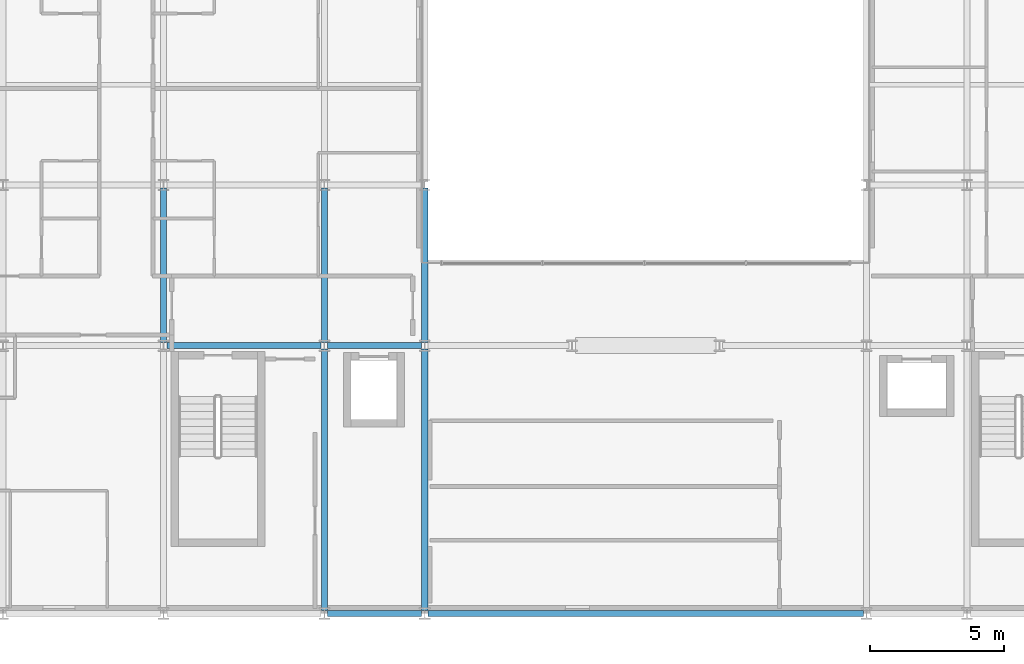
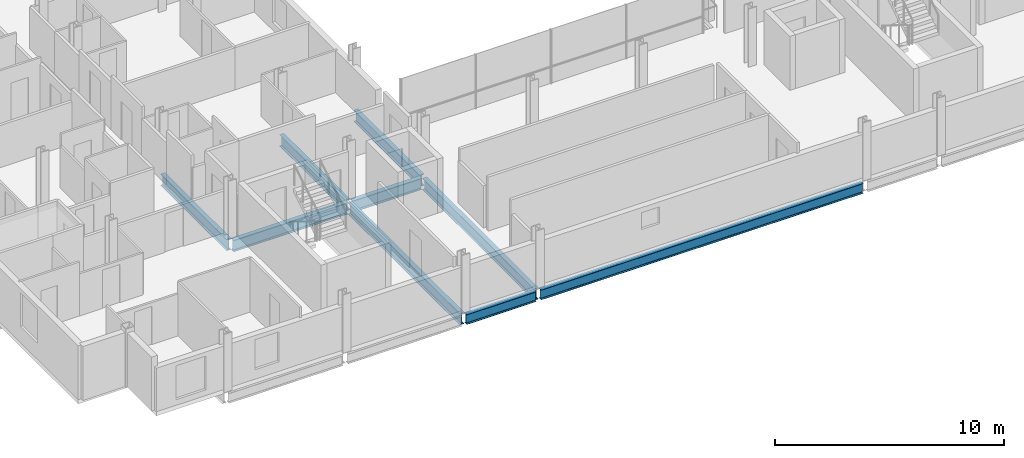
# One storey, part 3 of 39: 9 beams.
"""IFC4 building model written with IfcOpenShell, lengths in metres."""

from ifc_helpers import new_model, si_unit, direction, frame, origin, origin_2d, place, context, subcontext, project, spatial, i_section, extrude, material, material_profile, profile_set, type_object, element, save


model = new_model("IFC4")

# Units and contexts
model_context = context("Model", 3, precision=1e-05, world=origin(), true_north=direction((0.0, 1.0)))
body_context = subcontext(model_context, "Body", "Model", "MODEL_VIEW")
ifc_project = project(units=[si_unit("LENGTHUNIT", "METRE"), si_unit("AREAUNIT", "SQUARE_METRE"), si_unit("VOLUMEUNIT", "CUBIC_METRE"), si_unit("PLANEANGLEUNIT", "RADIAN"), si_unit("MASSUNIT", "GRAM", prefix="KILO")], contexts=[model_context])

# Site, building, storey
site_placement = place(None, origin())
site = spatial("IfcSite", under=ifc_project, at=site_placement, CompositionType="ELEMENT")
building_placement = place(site_placement, origin())
building = spatial("IfcBuilding", under=site, at=building_placement, Name="Brevholm Reach", CompositionType="ELEMENT")
storey_placement = place(building_placement, frame((0.0, 0.0, 115.89990234375)))
storey = spatial("IfcBuildingStorey", under=building, at=storey_placement, Name="L34", CompositionType="ELEMENT", Elevation=115.89990234375)

# Beams
ifc_material_1 = material(Name="Structural Steel S355J2", Category="steel")
ifc_material_profile_1 = material_profile(ifc_material_1, i_section(OverallWidth=0.209228515625, OverallDepth=0.533203125, WebThickness=0.010009765625, FlangeThickness=0.015625, FilletRadius=0.0126953125, at=origin_2d()), Name="UKB 533x210x92")
ifc_profile_set_1 = profile_set([ifc_material_profile_1], Name="Structural Steel S355J2")
beam_type_1 = type_object("IfcBeamType", Name="BM-SP533", PredefinedType="SPANDREL", material=ifc_profile_set_1)
beam_1_placement = place(storey_placement, frame((18.1201171875, 0.0, -0.486572265625), z_axis=(1.0, 0.0, 0.0), x_axis=(0.0, 1.0, 0.0)))
element("IfcBeam", 1, at=beam_1_placement, inside=storey, type_object=beam_type_1, Name="L34 SP-02 Framing Beam", PredefinedType="SPANDREL", context=body_context, shape_type="SweptSolid", body=[
    extrude(i_section(OverallWidth=0.209228515625, OverallDepth=0.533203125, WebThickness=0.010009765625, FlangeThickness=0.015625, FilletRadius=0.0126953125, at=origin_2d()), origin(), (0.0, 0.0, 1.0), 3.509765625),
])
beam_2_placement = place(storey_placement, frame((21.8701171875, 0.0, -0.486572265625), z_axis=(1.0, 0.0, 0.0), x_axis=(0.0, 1.0, 0.0)))
element("IfcBeam", 2, at=beam_2_placement, inside=storey, type_object=beam_type_1, Name="L34 SP-02 Framing Beam", PredefinedType="SPANDREL", context=body_context, shape_type="SweptSolid", body=[
    extrude(i_section(OverallWidth=0.209228515625, OverallDepth=0.533203125, WebThickness=0.010009765625, FlangeThickness=0.015625, FilletRadius=0.0126953125, at=origin_2d()), origin(), (0.0, 0.0, 1.0), 16.259765625),
])
ifc_material_2 = material(Name="Structural Steel S355J2", Category="steel")
ifc_material_profile_2 = material_profile(ifc_material_2, i_section(OverallWidth=0.22900390625, OverallDepth=0.6123046875, WebThickness=0.011962890625, FlangeThickness=0.01953125, FilletRadius=0.0126953125, at=origin_2d()), Name="UKB 610x229x125")
ifc_profile_set_2 = profile_set([ifc_material_profile_2], Name="Structural Steel S355J2")
beam_type_2 = type_object("IfcBeamType", Name="BM-SP610", PredefinedType="SPANDREL", material=ifc_profile_set_2)
beam_3_placement = place(storey_placement, frame((12.1201171875, 10.0, -0.526123046875), z_axis=(1.0, 0.0, 0.0), x_axis=(0.0, 1.0, 0.0)))
element("IfcBeam", 3, at=beam_3_placement, inside=storey, type_object=beam_type_2, Name="L34 SP-01 Framing Beam", PredefinedType="SPANDREL", context=body_context, shape_type="SweptSolid", body=[
    extrude(i_section(OverallWidth=0.22900390625, OverallDepth=0.6123046875, WebThickness=0.011962890625, FlangeThickness=0.01953125, FilletRadius=0.0126953125, at=origin_2d()), origin(), (0.0, 0.0, 1.0), 5.759765625),
])
beam_4_placement = place(storey_placement, frame((18.1201171875, 10.0, -0.526123046875), z_axis=(1.0, 0.0, 0.0), x_axis=(0.0, 1.0, 0.0)))
element("IfcBeam", 4, at=beam_4_placement, inside=storey, type_object=beam_type_2, Name="L34 SP-01 Framing Beam", PredefinedType="SPANDREL", context=body_context, shape_type="SweptSolid", body=[
    extrude(i_section(OverallWidth=0.22900390625, OverallDepth=0.6123046875, WebThickness=0.011962890625, FlangeThickness=0.01953125, FilletRadius=0.0126953125, at=origin_2d()), origin(), (0.0, 0.0, 1.0), 3.509765625),
])
beam_5_placement = place(storey_placement, frame((12.0, 10.1201171875, -0.526123046875), z_axis=(0.0, 1.0, 0.0), x_axis=(-1.0, 0.0, 0.0)))
element("IfcBeam", 5, at=beam_5_placement, inside=storey, type_object=beam_type_2, Name="L34 SP-01 Framing Beam", PredefinedType="SPANDREL", context=body_context, shape_type="SweptSolid", body=[
    extrude(i_section(OverallWidth=0.22900390625, OverallDepth=0.6123046875, WebThickness=0.011962890625, FlangeThickness=0.01953125, FilletRadius=0.0126953125, at=origin_2d()), origin(), (0.0, 0.0, 1.0), 5.759765625),
])
beam_6_placement = place(storey_placement, frame((18.0, 0.1201171875, -0.526123046875), z_axis=(0.0, 1.0, 0.0), x_axis=(-1.0, 0.0, 0.0)))
element("IfcBeam", 6, at=beam_6_placement, inside=storey, type_object=beam_type_2, Name="L34 SP-01 Framing Beam", PredefinedType="SPANDREL", context=body_context, shape_type="SweptSolid", body=[
    extrude(i_section(OverallWidth=0.22900390625, OverallDepth=0.6123046875, WebThickness=0.011962890625, FlangeThickness=0.01953125, FilletRadius=0.0126953125, at=origin_2d()), origin(), (0.0, 0.0, 1.0), 9.759765625),
])
beam_7_placement = place(storey_placement, frame((18.0, 10.1201171875, -0.526123046875), z_axis=(0.0, 1.0, 0.0), x_axis=(-1.0, 0.0, 0.0)))
element("IfcBeam", 7, at=beam_7_placement, inside=storey, type_object=beam_type_2, Name="L34 SP-01 Framing Beam", PredefinedType="SPANDREL", context=body_context, shape_type="SweptSolid", body=[
    extrude(i_section(OverallWidth=0.22900390625, OverallDepth=0.6123046875, WebThickness=0.011962890625, FlangeThickness=0.01953125, FilletRadius=0.0126953125, at=origin_2d()), origin(), (0.0, 0.0, 1.0), 5.759765625),
])
beam_8_placement = place(storey_placement, frame((21.75, 0.1201171875, -0.526123046875), z_axis=(0.0, 1.0, 0.0), x_axis=(-1.0, 0.0, 0.0)))
element("IfcBeam", 8, at=beam_8_placement, inside=storey, type_object=beam_type_2, Name="L34 SP-01 Framing Beam", PredefinedType="SPANDREL", context=body_context, shape_type="SweptSolid", body=[
    extrude(i_section(OverallWidth=0.22900390625, OverallDepth=0.6123046875, WebThickness=0.011962890625, FlangeThickness=0.01953125, FilletRadius=0.0126953125, at=origin_2d()), origin(), (0.0, 0.0, 1.0), 9.759765625),
])
beam_9_placement = place(storey_placement, frame((21.75, 10.1201171875, -0.526123046875), z_axis=(0.0, 1.0, 0.0), x_axis=(-1.0, 0.0, 0.0)))
element("IfcBeam", 9, at=beam_9_placement, inside=storey, type_object=beam_type_2, Name="L34 SP-01 Framing Beam", PredefinedType="SPANDREL", context=body_context, shape_type="SweptSolid", body=[
    extrude(i_section(OverallWidth=0.22900390625, OverallDepth=0.6123046875, WebThickness=0.011962890625, FlangeThickness=0.01953125, FilletRadius=0.0126953125, at=origin_2d()), origin(), (0.0, 0.0, 1.0), 5.759765625),
])

save(model, "model.ifc")
